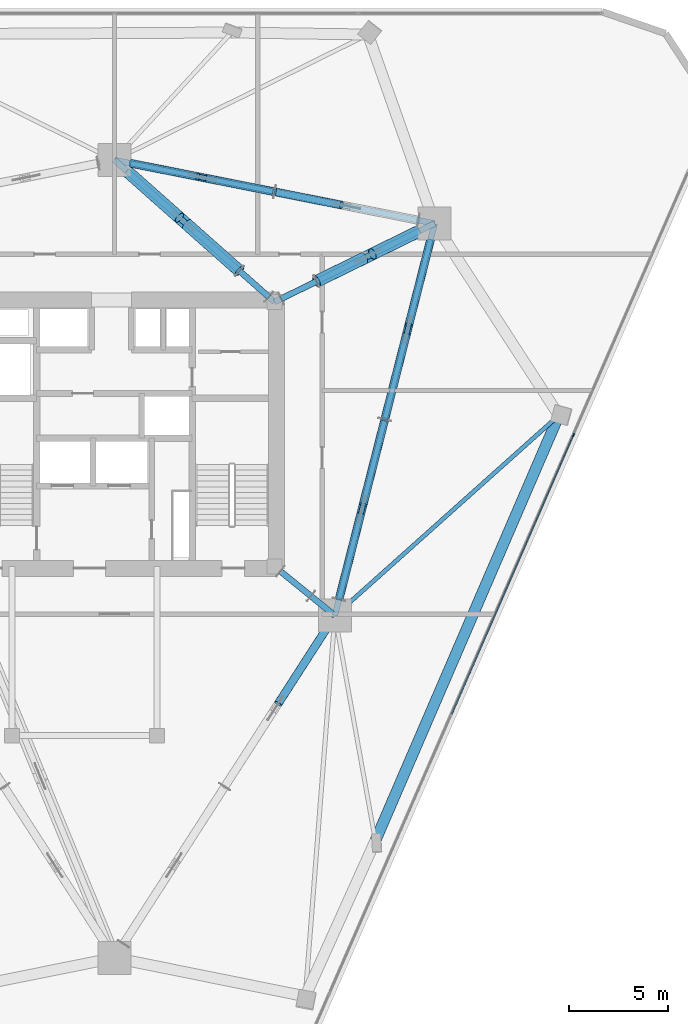
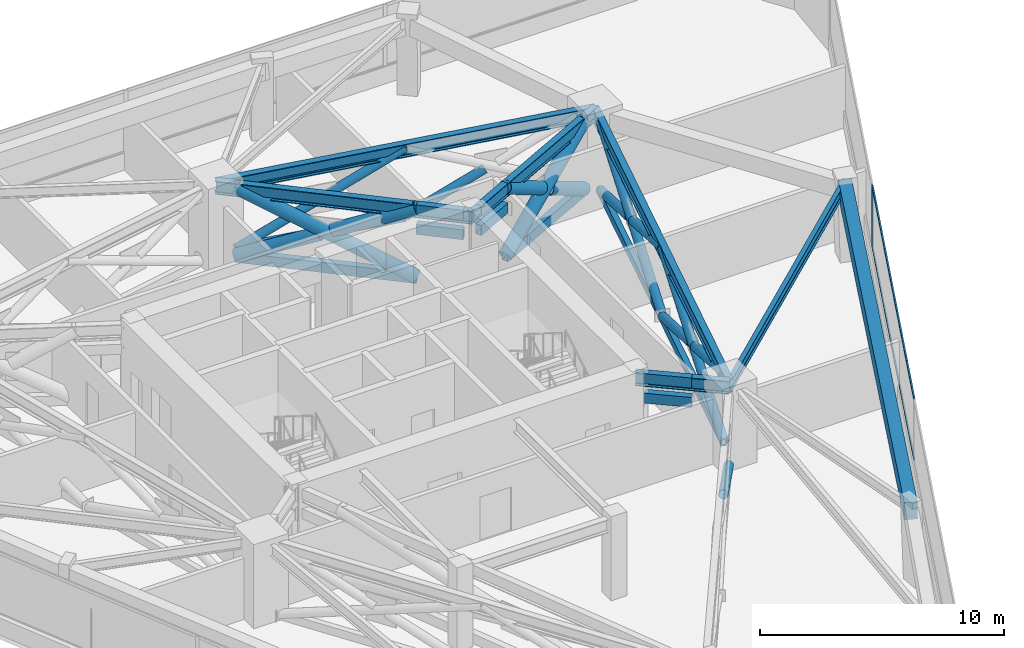
# One storey, part 6 of 14: 36 members, 7 beams, 1 element without a shape of its own.
"""IFC4 building model written with IfcOpenShell, lengths in metres."""

from ifc_helpers import new_model, si_unit, direction, frame, origin, origin_2d, place, context, subcontext, project, spatial, rectangle, hollow_rectangle, hollow_circle, i_section, extrude, material, layer, layer_set, material_profile, profile_set, type_object, element, aggregate, save


model = new_model("IFC4")

# Units and contexts
model_context = context("Model", 3, precision=1e-05, world=origin(), true_north=direction((0.0, 1.0)))
body_context = subcontext(model_context, "Body", "Model", "MODEL_VIEW")
ifc_project = project(units=[si_unit("LENGTHUNIT", "METRE"), si_unit("AREAUNIT", "SQUARE_METRE"), si_unit("VOLUMEUNIT", "CUBIC_METRE"), si_unit("PLANEANGLEUNIT", "RADIAN"), si_unit("MASSUNIT", "GRAM", prefix="KILO")], contexts=[model_context])

# Site, building, storey
site_placement = place(None, origin())
site = spatial("IfcSite", under=ifc_project, at=site_placement, CompositionType="ELEMENT")
building_placement = place(site_placement, origin())
building = spatial("IfcBuilding", under=site, at=building_placement, Name="Talyreon Biosciences Tower", CompositionType="ELEMENT")
storey_placement = place(building_placement, frame((0.0, 0.0, 123.0)))
storey = spatial("IfcBuildingStorey", under=building, at=storey_placement, Name="L32", CompositionType="ELEMENT", Elevation=123.0)

# Members
ifc_material_1 = material(Name="Steel SM355", Category="steel")
ifc_material_profile_1 = material_profile(ifc_material_1, hollow_circle(Radius=0.203125, WallThickness=0.01611328125, at=origin_2d()), Name="CHS 406.4x16")
ifc_profile_set_1 = profile_set([ifc_material_profile_1], Name="Steel SM355")
member_type_1 = type_object("IfcMemberType", Name="BeltBrace_CHS406", PredefinedType="BRACE", material=ifc_profile_set_1)
member_1_placement = place(storey_placement, frame((76.634033203125, 58.178466796875, 0.239990234375), z_axis=(-0.508590410527, -0.789676647778, 0.343142224556), x_axis=(0.840722405347, -0.541466376747, 0.0)))
element("IfcMember", 1, at=member_1_placement, inside=storey, type_object=member_type_1, Name="L32 Split Diagonal BELT-L32-B1S2B-Lower", PredefinedType="BRACE", context=body_context, shape_type="SweptSolid", body=[
    extrude(hollow_circle(Radius=0.203125, WallThickness=0.01611328125, at=origin_2d()), origin(), (0.0, 0.0, 1.0), 4.724853515625),
])
member_2_placement = place(storey_placement, frame((77.2919921875, 59.689697265625, 0.239990234375), z_axis=(0.23138568943, 0.909544510688, 0.345238244992), x_axis=(-0.969131483005, 0.246544455723, 0.0)))
element("IfcMember", 2, at=member_2_placement, inside=storey, type_object=member_type_1, Name="L32 Continuous Diagonal BELT-L32-B2S1A", PredefinedType="BRACE", context=body_context, shape_type="SweptSolid", body=[
    extrude(hollow_circle(Radius=0.203125, WallThickness=0.01611328125, at=origin_2d()), origin(), (0.0, 0.0, 1.0), 9.94970703125),
])
member_3_placement = place(storey_placement, frame((79.59423828125, 68.739501953125, 0.239990234375), z_axis=(-0.231353468322, -0.90955349841, 0.345236160079), x_axis=(0.969140267569, -0.246509922269, 0.0)))
element("IfcMember", 3, at=member_3_placement, inside=storey, type_object=member_type_1, Name="L32 Split Diagonal BELT-L32-B2S1B-Lower", PredefinedType="BRACE", context=body_context, shape_type="SweptSolid", body=[
    extrude(hollow_circle(Radius=0.203125, WallThickness=0.01611328125, at=origin_2d()), origin(), (0.0, 0.0, 1.0), 4.69482421875),
])
member_4_placement = place(storey_placement, frame((78.37841796875, 63.9599609375, 2.05419921875), z_axis=(-0.231402685327, -0.909542554844, 0.345232006267), x_axis=(0.969127029246, -0.24656196216, 0.0)))
element("IfcMember", 4, at=member_4_placement, inside=storey, type_object=member_type_1, Name="L32 Split Diagonal BELT-L32-B2S1B-Upper", PredefinedType="BRACE", context=body_context, shape_type="SweptSolid", body=[
    extrude(hollow_circle(Radius=0.203125, WallThickness=0.01611328125, at=origin_2d()), origin(), (0.0, 0.0, 1.0), 4.695068359375),
])
member_5_placement = place(storey_placement, frame((79.59423828125, 68.739501953125, 0.239990234375), z_axis=(0.231380525545, 0.909548748824, 0.345230540235), x_axis=(-0.969133072128, 0.24653820902, 0.0)))
element("IfcMember", 5, at=member_5_placement, inside=storey, type_object=member_type_1, Name="L32 Continuous Diagonal BELT-L32-B2S2A", PredefinedType="BRACE", context=body_context, shape_type="SweptSolid", body=[
    extrude(hollow_circle(Radius=0.203125, WallThickness=0.01611328125, at=origin_2d()), origin(), (0.0, 0.0, 1.0), 9.949951171875),
])
member_6_placement = place(storey_placement, frame((81.896484375, 77.78955078125, 0.239990234375), z_axis=(-0.231353468322, -0.90955349841, 0.345236160079), x_axis=(0.969140267569, -0.246509922269, 0.0)))
element("IfcMember", 6, at=member_6_placement, inside=storey, type_object=member_type_1, Name="L32 Split Diagonal BELT-L32-B2S2B-Lower", PredefinedType="BRACE", context=body_context, shape_type="SweptSolid", body=[
    extrude(hollow_circle(Radius=0.203125, WallThickness=0.01611328125, at=origin_2d()), origin(), (0.0, 0.0, 1.0), 4.69482421875),
])
member_7_placement = place(storey_placement, frame((80.6806640625, 73.009765625, 2.05419921875), z_axis=(-0.231402685327, -0.909542554844, 0.345232006267), x_axis=(0.969127029246, -0.24656196216, 0.0)))
element("IfcMember", 7, at=member_7_placement, inside=storey, type_object=member_type_1, Name="L32 Split Diagonal BELT-L32-B2S2B-Upper", PredefinedType="BRACE", context=body_context, shape_type="SweptSolid", body=[
    extrude(hollow_circle(Radius=0.203125, WallThickness=0.01611328125, at=origin_2d()), origin(), (0.0, 0.0, 1.0), 4.695068359375),
])
member_8_placement = place(storey_placement, frame((74.05126953125, 80.19384765625, 0.239990234375), z_axis=(0.889162050428, -0.176207663246, 0.422305230245), x_axis=(0.194392350263, 0.980923857473, 0.0)))
element("IfcMember", 8, at=member_8_placement, inside=storey, type_object=member_type_1, Name="L32 Split Diagonal BELT-L32-B3S1B-Lower", PredefinedType="BRACE", context=body_context, shape_type="SweptSolid", body=[
    extrude(hollow_circle(Radius=0.203125, WallThickness=0.01611328125, at=origin_2d()), origin(), (0.0, 0.0, 1.0), 3.78662109375),
])
member_9_placement = place(storey_placement, frame((74.05126953125, 80.19384765625, 0.239990234375), z_axis=(-0.88916183844, 0.176163482085, 0.422324108525), x_axis=(-0.194345495342, -0.980933141677, 0.0)))
element("IfcMember", 9, at=member_9_placement, inside=storey, type_object=member_type_1, Name="L32 Continuous Diagonal BELT-L32-B3S2A", PredefinedType="BRACE", context=body_context, shape_type="SweptSolid", body=[
    extrude(hollow_circle(Radius=0.203125, WallThickness=0.01611328125, at=origin_2d()), origin(), (0.0, 0.0, 1.0), 8.1337890625),
])
member_10_placement = place(storey_placement, frame((66.819091796875, 81.626708984375, 0.239990234375), z_axis=(0.889162050428, -0.176207663246, 0.422305230245), x_axis=(0.194392350263, 0.980923857473, 0.0)))
element("IfcMember", 10, at=member_10_placement, inside=storey, type_object=member_type_1, Name="L32 Split Diagonal BELT-L32-B3S2B-Lower", PredefinedType="BRACE", context=body_context, shape_type="SweptSolid", body=[
    extrude(hollow_circle(Radius=0.203125, WallThickness=0.01611328125, at=origin_2d()), origin(), (0.0, 0.0, 1.0), 3.78662109375),
])
member_11_placement = place(storey_placement, frame((70.68408203125, 80.86083984375, 2.07568359375), z_axis=(0.889161439335, -0.176130296713, 0.422338789812), x_axis=(0.194310351205, 0.980940103887, 0.0)))
element("IfcMember", 11, at=member_11_placement, inside=storey, type_object=member_type_1, Name="L32 Split Diagonal BELT-L32-B3S2B-Upper", PredefinedType="BRACE", context=body_context, shape_type="SweptSolid", body=[
    extrude(hollow_circle(Radius=0.203125, WallThickness=0.01611328125, at=origin_2d()), origin(), (0.0, 0.0, 1.0), 3.786865234375),
])
ifc_material_profile_2 = material_profile(ifc_material_1, hollow_rectangle(XDim=0.25, YDim=0.39990234375, WallThickness=0.01611328125, at=origin_2d()), Name="RHS 400x250x16")
ifc_profile_set_2 = profile_set([ifc_material_profile_2], Name="Steel SM355")
member_type_2 = type_object("IfcMemberType", Name="BeltChord_RHS400x250", PredefinedType="CHORD", material=ifc_profile_set_2)
for number, where, z_axis, x_axis, name in (
    (12, (77.2919921875, 59.689697265625, 0.239990234375), (0.246544455723, 0.969131483005, 0.0), (-0.969131483005, 0.246544455723, 0.0), "L32 Truss Bottom Chord BELT-L32-B2S1"),
    (13, (77.2919921875, 59.689697265625, 3.675048828125), (0.246544455723, 0.969131483005, 0.0), (-0.969131483005, 0.246544455723, 0.0), "L32 Truss Top Chord BELT-L32-B2S1"),
):
    element("IfcMember", number, at=place(storey_placement, frame(where, z_axis=z_axis, x_axis=x_axis)), inside=storey, type_object=member_type_2, Name=name, PredefinedType="CHORD", context=body_context, shape_type="SweptSolid", body=[
        extrude(hollow_rectangle(XDim=0.25, YDim=0.39990234375, WallThickness=0.01611328125, at=origin_2d()), origin(), (0.0, 0.0, 1.0), 9.338134765625),
    ])
for number, where, z_axis, x_axis, name in (
    (14, (79.59423828125, 68.739501953125, 0.239990234375), (0.24653820902, 0.969133072128, 0.0), (-0.969133072128, 0.24653820902, 0.0), "L32 Truss Bottom Chord BELT-L32-B2S2"),
    (15, (79.59423828125, 68.739501953125, 3.675048828125), (0.24653820902, 0.969133072128, 0.0), (-0.969133072128, 0.24653820902, 0.0), "L32 Truss Top Chord BELT-L32-B2S2"),
):
    element("IfcMember", number, at=place(storey_placement, frame(where, z_axis=z_axis, x_axis=x_axis)), inside=storey, type_object=member_type_2, Name=name, PredefinedType="CHORD", context=body_context, shape_type="SweptSolid", body=[
        extrude(hollow_rectangle(XDim=0.25, YDim=0.39990234375, WallThickness=0.01611328125, at=origin_2d()), origin(), (0.0, 0.0, 1.0), 9.33837890625),
    ])
for number, where, z_axis, x_axis, name in (
    (16, (74.05126953125, 80.19384765625, 0.239990234375), (-0.980933141677, 0.194345495342, 0.0), (-0.194345495342, -0.980933141677, 0.0), "L32 Truss Bottom Chord BELT-L32-B3S2"),
    (17, (74.05126953125, 80.19384765625, 3.675048828125), (-0.980933141677, 0.194345495342, 0.0), (-0.194345495342, -0.980933141677, 0.0), "L32 Truss Top Chord BELT-L32-B3S2"),
):
    element("IfcMember", number, at=place(storey_placement, frame(where, z_axis=z_axis, x_axis=x_axis)), inside=storey, type_object=member_type_2, Name=name, PredefinedType="CHORD", context=body_context, shape_type="SweptSolid", body=[
        extrude(hollow_rectangle(XDim=0.25, YDim=0.39990234375, WallThickness=0.01611328125, at=origin_2d()), origin(), (0.0, 0.0, 1.0), 7.372802734375),
    ])

# Curtain wall, members
ifc_material_2 = material(Name="Thermally broken aluminium and low-E glazing", Category="aluminium")
ifc_layer = layer(ifc_material_2, 0.18994140625)
ifc_layer_set = layer_set([ifc_layer], Name="Thermally broken aluminium and low-E glazing")
curtain_wall_type = type_object("IfcCurtainWallType", Name="CurtainWall_Zone2Genomics", PredefinedType="NOTDEFINED", material=ifc_layer_set)
curtain_wall_placement = place(storey_placement, origin())
curtain_wall = element("IfcCurtainWall", 18, at=curtain_wall_placement, inside=storey, type_object=curtain_wall_type, Name="L32 Unitised Curtain Wall FCW-L32-08", PredefinedType="NOTDEFINED")
ifc_material_3 = material(Name="Anodised thermally broken aluminium", Category="aluminium")
ifc_material_profile_3 = material_profile(ifc_material_3, rectangle(XDim=0.06494140625, YDim=0.179931640625, at=origin_2d()), Name="ALUM MULLION 65x180")
ifc_profile_set_3 = profile_set([ifc_material_profile_3], Name="Anodised thermally broken aluminium")
member_type_3 = type_object("IfcMemberType", Name="CWMullion_65x180", PredefinedType="MULLION", material=ifc_profile_set_3)
member_12_placement = place(storey_placement, frame((89.084716796875, 67.959716796875, 0.81005859375), z_axis=(0.0, 0.0, 1.0), x_axis=(0.916489607057, -0.400058495919, 0.0)))
member_12 = element("IfcMember", 19, at=member_12_placement, type_object=member_type_3, Name="CW3 mullion 2", PredefinedType="MULLION", context=body_context, shape_type="SweptSolid", body=[
    extrude(rectangle(XDim=0.06494140625, YDim=0.179931640625, at=origin_2d()), origin(), (0.0, 0.0, 1.0), 3.114990234375),
])
ifc_material_profile_4 = material_profile(ifc_material_3, rectangle(XDim=0.06494140625, YDim=0.139892578125, at=origin_2d()), Name="ALUM TRANSOM 65x140")
ifc_profile_set_4 = profile_set([ifc_material_profile_4], Name="Anodised thermally broken aluminium")
member_type_4 = type_object("IfcMemberType", Name="CWTransom_65x140", PredefinedType="USERDEFINED", material=ifc_profile_set_4)
member_13_placement = place(storey_placement, frame((89.07177734375, 67.929931640625, 0.842529296875), z_axis=(-0.400056615307, -0.916490427964, 0.0), x_axis=(0.916490427964, -0.400056615307, 0.0)))
member_13 = element("IfcMember", 20, at=member_13_placement, type_object=member_type_4, Name="CW3 transom 2.1", ObjectType="TRANSOM", PredefinedType="USERDEFINED", context=body_context, shape_type="SweptSolid", body=[
    extrude(rectangle(XDim=0.06494140625, YDim=0.139892578125, at=origin_2d()), origin(), (0.0, 0.0, 1.0), 15.259765625),
])
member_14_placement = place(storey_placement, frame((89.07177734375, 67.929931640625, 3.892578125), z_axis=(-0.400056615307, -0.916490427964, 0.0), x_axis=(0.916490427964, -0.400056615307, 0.0)))
member_14 = element("IfcMember", 21, at=member_14_placement, type_object=member_type_4, Name="CW3 transom 2.2", ObjectType="TRANSOM", PredefinedType="USERDEFINED", context=body_context, shape_type="SweptSolid", body=[
    extrude(rectangle(XDim=0.06494140625, YDim=0.139892578125, at=origin_2d()), origin(), (0.0, 0.0, 1.0), 15.259765625),
])
aggregate(curtain_wall, [member_12, member_13, member_14])

# Beam
ifc_material_4 = material(Name="Precast concrete C45/55", Category="concrete")
ifc_material_profile_5 = material_profile(ifc_material_4, rectangle(XDim=0.550048828125, YDim=0.85009765625, at=origin_2d()), Name="RCB 550x850")
ifc_profile_set_5 = profile_set([ifc_material_profile_5], Name="Precast concrete C45/55")
beam_type_1 = type_object("IfcBeamType", Name="ExpressedSpandrel_550x850", PredefinedType="SPANDREL", material=ifc_profile_set_5)
beam_1_placement = place(storey_placement, frame((79.122314453125, 47.561279296875, 3.5), z_axis=(0.396115368564, 0.918200748632, 0.0), x_axis=(-0.918200748632, 0.396115368564, 0.0)))
element("IfcBeam", 22, at=beam_1_placement, inside=storey, type_object=beam_type_1, Name="L32 Expressed Horizontal Concrete Spandrel 03", PredefinedType="SPANDREL", context=body_context, shape_type="SweptSolid", body=[
    extrude(rectangle(XDim=0.550048828125, YDim=0.85009765625, at=origin_2d()), origin(), (0.0, 0.0, 1.0), 23.2939453125),
])

# Members
ifc_material_profile_6 = material_profile(ifc_material_1, hollow_circle(Radius=0.304931640625, WallThickness=0.02490234375, at=origin_2d()), Name="CHS 610x25")
ifc_profile_set_6 = profile_set([ifc_material_profile_6], Name="Steel SM355")
member_type_5 = type_object("IfcMemberType", Name="OutriggerBrace_CHS610", PredefinedType="BRACE", material=ifc_profile_set_6)
member_15_placement = place(storey_placement, frame((76.159912109375, 75.684814453125, 0.239990234375), z_axis=(0.771969352561, 0.378544445097, 0.510653915869), x_axis=(-0.440277334471, 0.897861831659, 0.0)))
element("IfcMember", 23, at=member_15_placement, inside=storey, type_object=member_type_5, Name="L32 Continuous Diagonal OUT-L32-R3A", PredefinedType="BRACE", context=body_context, shape_type="SweptSolid", body=[
    extrude(hollow_circle(Radius=0.304931640625, WallThickness=0.02490234375, at=origin_2d()), origin(), (0.0, 0.0, 1.0), 6.726806640625),
])
member_16_placement = place(storey_placement, frame((81.352783203125, 78.231201171875, 0.239990234375), z_axis=(-0.771988042994, -0.37855126498, 0.510620604027), x_axis=(0.440275135611, -0.897862909894, 0.0)))
element("IfcMember", 24, at=member_16_placement, inside=storey, type_object=member_type_5, Name="L32 Split Diagonal OUT-L32-R3B-Lower", PredefinedType="BRACE", context=body_context, shape_type="SweptSolid", body=[
    extrude(hollow_circle(Radius=0.304931640625, WallThickness=0.02490234375, at=origin_2d()), origin(), (0.0, 0.0, 1.0), 3.08349609375),
])
member_17_placement = place(storey_placement, frame((78.540283203125, 76.851806640625, 2.1005859375), z_axis=(-0.772011180435, -0.378483429998, 0.510635907962), x_axis=(0.44020089323, -0.897899311504, 0.0)))
element("IfcMember", 25, at=member_17_placement, inside=storey, type_object=member_type_5, Name="L32 Split Diagonal OUT-L32-R3B-Upper", PredefinedType="BRACE", context=body_context, shape_type="SweptSolid", body=[
    extrude(hollow_circle(Radius=0.304931640625, WallThickness=0.02490234375, at=origin_2d()), origin(), (0.0, 0.0, 1.0), 3.083251953125),
])
member_18_placement = place(storey_placement, frame((72.291748046875, 76.209228515625, 0.239990234375), z_axis=(-0.681379758704, 0.604265135832, 0.413019696923), x_axis=(-0.663501128105, -0.748175282272, 0.0)))
element("IfcMember", 26, at=member_18_placement, inside=storey, type_object=member_type_5, Name="L32 Continuous Diagonal OUT-L32-R4A", PredefinedType="BRACE", context=body_context, shape_type="SweptSolid", body=[
    extrude(hollow_circle(Radius=0.304931640625, WallThickness=0.02490234375, at=origin_2d()), origin(), (0.0, 0.0, 1.0), 8.31689453125),
])
member_19_placement = place(storey_placement, frame((66.624755859375, 81.23486328125, 0.239990234375), z_axis=(0.68135370559, -0.60430483866, 0.413004588172), x_axis=(0.663539730875, 0.748141046562, 0.0)))
element("IfcMember", 27, at=member_19_placement, inside=storey, type_object=member_type_5, Name="L32 Split Diagonal OUT-L32-R4B-Lower", PredefinedType="BRACE", context=body_context, shape_type="SweptSolid", body=[
    extrude(hollow_circle(Radius=0.304931640625, WallThickness=0.02490234375, at=origin_2d()), origin(), (0.0, 0.0, 1.0), 3.87841796875),
])
member_20_placement = place(storey_placement, frame((69.64892578125, 78.552734375, 2.072998046875), z_axis=(0.68139563053, -0.604223247802, 0.413054792382), x_axis=(0.66346672935, 0.748205786563, 0.0)))
element("IfcMember", 28, at=member_20_placement, inside=storey, type_object=member_type_5, Name="L32 Split Diagonal OUT-L32-R4B-Upper", PredefinedType="BRACE", context=body_context, shape_type="SweptSolid", body=[
    extrude(hollow_circle(Radius=0.304931640625, WallThickness=0.02490234375, at=origin_2d()), origin(), (0.0, 0.0, 1.0), 3.878662109375),
])
ifc_material_profile_7 = material_profile(ifc_material_1, hollow_rectangle(XDim=0.300048828125, YDim=0.5, WallThickness=0.02001953125, at=origin_2d()), Name="RHS 500x300x20")
ifc_profile_set_7 = profile_set([ifc_material_profile_7], Name="Steel SM355")
member_type_6 = type_object("IfcMemberType", Name="OutriggerChord_RHS500x300", PredefinedType="CHORD", material=ifc_profile_set_7)
for number, where, z_axis, x_axis, name in (
    (29, (74.3486328125, 61.107177734375, 3.675048828125), (0.775764250479, -0.631022842438, 0.0), (0.631022842438, 0.775764250479, 0.0), "L32 Outrigger Core Top Tie 2"),
    (30, (74.3486328125, 61.107177734375, 2.699951171875), (0.775764250479, -0.631022842438, 0.0), (0.631022842438, 0.775764250479, 0.0), "L32 Outrigger Core Plenum Tie 2"),
):
    element("IfcMember", number, at=place(storey_placement, frame(where, z_axis=z_axis, x_axis=x_axis)), inside=storey, type_object=member_type_6, Name=name, PredefinedType="CHORD", context=body_context, shape_type="SweptSolid", body=[
        extrude(hollow_rectangle(XDim=0.300048828125, YDim=0.5, WallThickness=0.02001953125, at=origin_2d()), origin(), (0.0, 0.0, 1.0), 1.965087890625),
    ])
for number, where, z_axis, x_axis, name in (
    (31, (74.395751953125, 74.819580078125, 3.675048828125), (0.897830193079, 0.44034184947, 0.0), (-0.44034184947, 0.897830193079, 0.0), "L32 Outrigger Core Top Tie 3"),
    (32, (74.395751953125, 74.819580078125, 2.699951171875), (0.897830193079, 0.44034184947, 0.0), (-0.44034184947, 0.897830193079, 0.0), "L32 Outrigger Core Plenum Tie 3"),
):
    element("IfcMember", number, at=place(storey_placement, frame(where, z_axis=z_axis, x_axis=x_axis)), inside=storey, type_object=member_type_6, Name=name, PredefinedType="CHORD", context=body_context, shape_type="SweptSolid", body=[
        extrude(hollow_rectangle(XDim=0.300048828125, YDim=0.5, WallThickness=0.02001953125, at=origin_2d()), origin(), (0.0, 0.0, 1.0), 1.96484375),
    ])
for number, where, z_axis, x_axis, name in (
    (33, (76.159912109375, 75.684814453125, 0.239990234375), (0.897861831659, 0.440277334471, 0.0), (-0.440277334471, 0.897861831659, 0.0), "L32 Truss Bottom Chord OUT-L32-R3"),
    (34, (76.159912109375, 75.684814453125, 3.675048828125), (0.897861831659, 0.440277334471, 0.0), (-0.440277334471, 0.897861831659, 0.0), "L32 Truss Top Chord OUT-L32-R3"),
):
    element("IfcMember", number, at=place(storey_placement, frame(where, z_axis=z_axis, x_axis=x_axis)), inside=storey, type_object=member_type_6, Name=name, PredefinedType="CHORD", context=body_context, shape_type="SweptSolid", body=[
        extrude(hollow_rectangle(XDim=0.300048828125, YDim=0.5, WallThickness=0.02001953125, at=origin_2d()), origin(), (0.0, 0.0, 1.0), 5.78369140625),
    ])
for number, where, z_axis, x_axis, name in (
    (35, (73.761962890625, 74.905517578125, 3.675048828125), (-0.748203951934, 0.663468798294, 0.0), (-0.663468798294, -0.748203951934, 0.0), "L32 Outrigger Core Top Tie 4"),
    (36, (73.761962890625, 74.905517578125, 2.699951171875), (-0.748203951934, 0.663468798294, 0.0), (-0.663468798294, -0.748203951934, 0.0), "L32 Outrigger Core Plenum Tie 4"),
):
    element("IfcMember", number, at=place(storey_placement, frame(where, z_axis=z_axis, x_axis=x_axis)), inside=storey, type_object=member_type_6, Name=name, PredefinedType="CHORD", context=body_context, shape_type="SweptSolid", body=[
        extrude(hollow_rectangle(XDim=0.300048828125, YDim=0.5, WallThickness=0.02001953125, at=origin_2d()), origin(), (0.0, 0.0, 1.0), 1.965087890625),
    ])
for number, where, z_axis, x_axis, name in (
    (37, (72.291748046875, 76.209228515625, 0.239990234375), (-0.748175282272, 0.663501128105, 0.0), (-0.663501128105, -0.748175282272, 0.0), "L32 Truss Bottom Chord OUT-L32-R4"),
    (38, (72.291748046875, 76.209228515625, 3.675048828125), (-0.748175282272, 0.663501128105, 0.0), (-0.663501128105, -0.748175282272, 0.0), "L32 Truss Top Chord OUT-L32-R4"),
):
    element("IfcMember", number, at=place(storey_placement, frame(where, z_axis=z_axis, x_axis=x_axis)), inside=storey, type_object=member_type_6, Name=name, PredefinedType="CHORD", context=body_context, shape_type="SweptSolid", body=[
        extrude(hollow_rectangle(XDim=0.300048828125, YDim=0.5, WallThickness=0.02001953125, at=origin_2d()), origin(), (0.0, 0.0, 1.0), 7.574462890625),
    ])

# Beams
ifc_material_profile_8 = material_profile(ifc_material_1, i_section(OverallWidth=0.300048828125, OverallDepth=0.64990234375, WebThickness=0.01611328125, FlangeThickness=0.031005859375, FilletRadius=0.027099609375, at=origin_2d()), Name="HE650B")
ifc_profile_set_8 = profile_set([ifc_material_profile_8], Name="Steel SM355")
beam_type_2 = type_object("IfcBeamType", Name="SteelBeam_HE650B", PredefinedType="BEAM", material=ifc_profile_set_8)
beam_2_placement = place(storey_placement, frame((77.086181640625, 58.88037109375, 3.60009765625), z_axis=(0.246537082299, 0.969133358755, 0.0), x_axis=(-0.969133358755, 0.246537082299, 0.0)))
element("IfcBeam", 39, at=beam_2_placement, inside=storey, type_object=beam_type_2, Name="L32 Mega-Ring Girder 2", PredefinedType="BEAM", context=body_context, shape_type="SweptSolid", body=[
    extrude(i_section(OverallWidth=0.300048828125, OverallDepth=0.64990234375, WebThickness=0.01611328125, FlangeThickness=0.031005859375, FilletRadius=0.027099609375, at=origin_2d()), origin(), (0.0, 0.0, 1.0), 20.34619140625),
])
beam_3_placement = place(storey_placement, frame((82.102294921875, 78.5986328125, 3.60009765625), z_axis=(-0.980933730698, 0.194342522311, 0.0), x_axis=(-0.194342522311, -0.980933730698, 0.0)))
element("IfcBeam", 40, at=beam_3_placement, inside=storey, type_object=beam_type_2, Name="L32 Mega-Ring Girder 3", PredefinedType="BEAM", context=body_context, shape_type="SweptSolid", body=[
    extrude(i_section(OverallWidth=0.300048828125, OverallDepth=0.64990234375, WebThickness=0.01611328125, FlangeThickness=0.031005859375, FilletRadius=0.027099609375, at=origin_2d()), origin(), (0.0, 0.0, 1.0), 16.415283203125),
])
beam_4_placement = place(storey_placement, frame((74.050048828125, 61.35009765625, 3.60009765625), z_axis=(0.775755154013, -0.631034025249, 0.0), x_axis=(0.631034025249, 0.775755154013, 0.0)))
element("IfcBeam", 41, at=beam_4_placement, inside=storey, type_object=beam_type_2, Name="L32 Radial Primary Girder 2", PredefinedType="BEAM", context=body_context, shape_type="SweptSolid", body=[
    extrude(i_section(OverallWidth=0.300048828125, OverallDepth=0.64990234375, WebThickness=0.01611328125, FlangeThickness=0.031005859375, FilletRadius=0.027099609375, at=origin_2d()), origin(), (0.0, 0.0, 1.0), 3.913818359375),
])
beam_5_placement = place(storey_placement, frame((74.050048828125, 74.64990234375, 3.60009765625), z_axis=(0.897852360314, 0.440296648952, 0.0), x_axis=(-0.440296648952, 0.897852360314, 0.0)))
element("IfcBeam", 42, at=beam_5_placement, inside=storey, type_object=beam_type_2, Name="L32 Radial Primary Girder 3", PredefinedType="BEAM", context=body_context, shape_type="SweptSolid", body=[
    extrude(i_section(OverallWidth=0.300048828125, OverallDepth=0.64990234375, WebThickness=0.01611328125, FlangeThickness=0.031005859375, FilletRadius=0.027099609375, at=origin_2d()), origin(), (0.0, 0.0, 1.0), 8.96826171875),
])
beam_6_placement = place(storey_placement, frame((74.050048828125, 74.64990234375, 3.60009765625), z_axis=(-0.748178733955, 0.663497235908, 0.0), x_axis=(-0.663497235908, -0.748178733955, 0.0)))
element("IfcBeam", 43, at=beam_6_placement, inside=storey, type_object=beam_type_2, Name="L32 Radial Primary Girder 4", PredefinedType="BEAM", context=body_context, shape_type="SweptSolid", body=[
    extrude(i_section(OverallWidth=0.300048828125, OverallDepth=0.64990234375, WebThickness=0.01611328125, FlangeThickness=0.031005859375, FilletRadius=0.027099609375, at=origin_2d()), origin(), (0.0, 0.0, 1.0), 10.759521484375),
])
ifc_material_profile_9 = material_profile(ifc_material_1, i_section(OverallWidth=0.2099609375, OverallDepth=0.550048828125, WebThickness=0.010986328125, FlangeThickness=0.01708984375, FilletRadius=0.02392578125, at=origin_2d()), Name="IPE550")
ifc_profile_set_9 = profile_set([ifc_material_profile_9], Name="Steel SM355")
beam_type_3 = type_object("IfcBeamType", Name="SteelJoist_IPE550", PredefinedType="JOIST", material=ifc_profile_set_9)
beam_7_placement = place(storey_placement, frame((77.086181640625, 58.88037109375, 3.64990234375), z_axis=(0.745512585977, 0.666491548446, 0.0), x_axis=(-0.666491548446, 0.745512585977, 0.0)))
element("IfcBeam", 44, at=beam_7_placement, inside=storey, type_object=beam_type_3, Name="L32 Radial Composite Floor Joist PC-SE2", PredefinedType="JOIST", context=body_context, shape_type="SweptSolid", body=[
    extrude(i_section(OverallWidth=0.2099609375, OverallDepth=0.550048828125, WebThickness=0.010986328125, FlangeThickness=0.01708984375, FilletRadius=0.02392578125, at=origin_2d()), origin(), (0.0, 0.0, 1.0), 15.10791015625),
])

save(model, "model.ifc")
